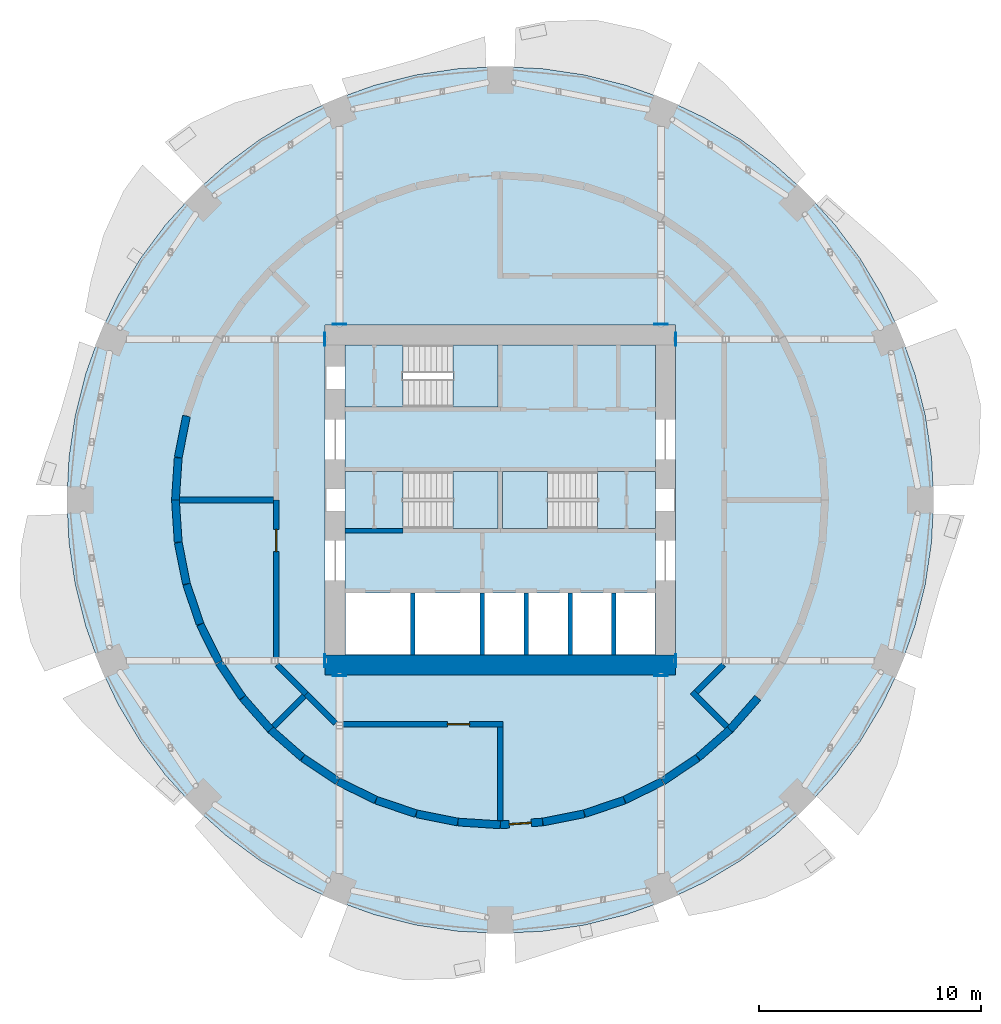
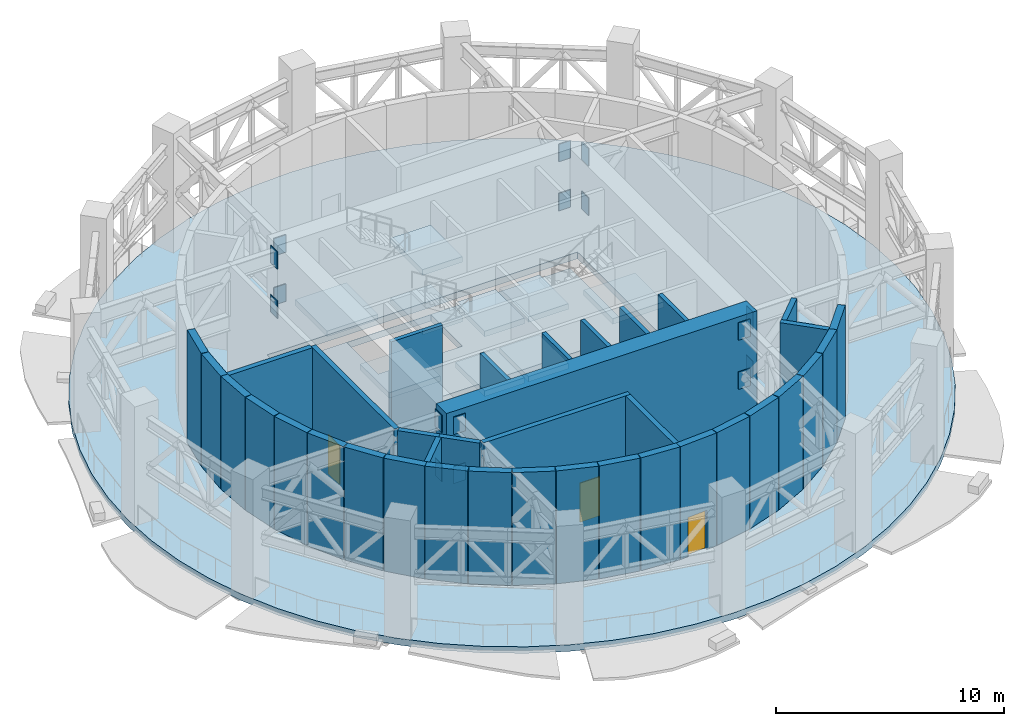
# One storey, part 6 of 14: 37 walls, 16 plates, 11 slabs, 3 doors, 3 openings, 3 elements without a shape of their own.
"""IFC4 building model written with IfcOpenShell, lengths in metres."""

import ifcopenshell
import ifcopenshell.guid

model = None  # the IFC model being written
_history = None  # IfcOwnerHistory: only IFC2X3 demands one
_inside = {}  # id of a spatial element -> (the spatial element, [elements in it])
_under = {}  # id of a project, library or spatial element -> (it, [spatial elements below it])
_declared = {}  # id of a project -> (the project, [libraries it declares])
_typed = {}  # id of a type object -> (the type object, [elements of that type])
_made_of = {}  # id of a material, layer set ... -> (it, [elements and type objects made of it])


def new_model(schema):
    """Start an empty IFC model of exactly this schema.

    Asked for "IFC4X3", IfcOpenShell would pick the latest addendum, in which some entities
    have other attributes; the version numbers below select the first issue.
    IFC2X3 requires an IfcOwnerHistory on every rooted entity: one is made here for all.
    """
    global model, _history
    if schema == "IFC4X3":
        model = ifcopenshell.file(schema_version=(4, 3, 0, 0))
    else:
        model = ifcopenshell.file(schema=schema)
    _inside.clear()
    _under.clear()
    _declared.clear()
    _typed.clear()
    _made_of.clear()
    _history = None
    if model.schema == "IFC2X3":
        org = make("IfcOrganization", Name="unknown")
        user = make(
            "IfcPersonAndOrganization",
            ThePerson=make("IfcPerson", FamilyName="unknown"),
            TheOrganization=org,
        )
        app = make(
            "IfcApplication",
            ApplicationDeveloper=org,
            Version="unknown",
            ApplicationFullName="unknown",
            ApplicationIdentifier="unknown",
        )
        _history = make(
            "IfcOwnerHistory",
            OwningUser=user,
            OwningApplication=app,
            ChangeAction="ADDED",
            CreationDate=0,
        )
    return model


def make(cls, **values):
    """One entity of the class cls with the attributes given. An attribute that is None is left unset."""
    return model.create_entity(
        cls, **{name: value for name, value in values.items() if value is not None}
    )


def rooted(cls, **values):
    """An entity with a GlobalId (a new one), such as an element, a storey or a relation."""
    return make(cls, GlobalId=ifcopenshell.guid.new(), OwnerHistory=_history, **values)


def si_unit(unit_type, name, prefix=None):
    """IfcSIUnit, for example si_unit("LENGTHUNIT", "METRE", prefix="MILLI")."""
    return make("IfcSIUnit", UnitType=unit_type, Prefix=prefix, Name=name)


def assignment(units):
    """IfcUnitAssignment: the units of a project."""
    return None if units is None else make("IfcUnitAssignment", Units=units)


def point(xyz):
    """IfcCartesianPoint."""
    return None if xyz is None else make("IfcCartesianPoint", Coordinates=xyz)


def direction(xyz):
    """IfcDirection."""
    return None if xyz is None else make("IfcDirection", DirectionRatios=xyz)


def frame(location, z_axis=None, x_axis=None):
    """IfcAxis2Placement3D, a coordinate frame: its origin and axes. An axis left out is left unset."""
    return make(
        "IfcAxis2Placement3D",
        Location=point(location),
        Axis=direction(z_axis),
        RefDirection=direction(x_axis),
    )


def frame_2d(location, x_axis=None):
    """IfcAxis2Placement2D, a coordinate frame in the plane: its origin and x axis."""
    return make(
        "IfcAxis2Placement2D", Location=point(location), RefDirection=direction(x_axis)
    )


def origin():
    """The frame at (0, 0, 0) with its axes left unset."""
    return frame((0.0, 0.0, 0.0))


def origin_2d():
    """The frame at (0, 0) in the plane with its x axis left unset."""
    return frame_2d((0.0, 0.0))


def place(relative_to, where):
    """IfcLocalPlacement: puts the frame where relative to a parent placement (None: the world)."""
    return make(
        "IfcLocalPlacement", PlacementRelTo=relative_to, RelativePlacement=where
    )


def context(
    kind, dimensions, precision=None, world=None, true_north=None, identifier=None
):
    """IfcGeometricRepresentationContext, for example the 3D "Model" context."""
    return make(
        "IfcGeometricRepresentationContext",
        ContextIdentifier=identifier,
        ContextType=kind,
        CoordinateSpaceDimension=dimensions,
        Precision=precision,
        WorldCoordinateSystem=world,
        TrueNorth=true_north,
    )


def subcontext(parent, identifier, kind, view, scale=None):
    """IfcGeometricRepresentationSubContext, for example "Body" below "Model"."""
    return make(
        "IfcGeometricRepresentationSubContext",
        ContextIdentifier=identifier,
        ContextType=kind,
        ParentContext=parent,
        TargetScale=scale,
        TargetView=view,
    )


def project(units=None, contexts=None):
    """IfcProject with its units and contexts."""
    return rooted(
        "IfcProject",
        Name="project",
        RepresentationContexts=contexts,
        UnitsInContext=assignment(units),
    )


def spatial(cls, under=None, at=None, **own):
    """A site, building, storey or space (cls), placed at a placement, below another one or the project."""
    s = rooted(cls, ObjectPlacement=at, **own)
    if under is not None:
        _under.setdefault(under.id(), (under, []))[1].append(s)
    return s


def polyline(points):
    """IfcPolyline through the points."""
    return make("IfcPolyline", Points=[point(p) for p in points])


def profile(cls, at=None, kind="AREA", **sizes):
    """A parametric profile (cls). Its sizes go by their IFC names, for example OverallWidth=200.0."""
    return make(cls, ProfileType=kind, Position=at, **sizes)


def rectangle(**sizes):
    """IfcRectangleProfileDef."""
    return profile("IfcRectangleProfileDef", **sizes)


def outline(outer, holes=None, kind="AREA"):
    """IfcArbitraryClosedProfileDef: a profile drawn as a closed curve; with holes, ...WithVoids."""
    if holes is None:
        return make("IfcArbitraryClosedProfileDef", ProfileType=kind, OuterCurve=outer)
    return make(
        "IfcArbitraryProfileDefWithVoids",
        ProfileType=kind,
        OuterCurve=outer,
        InnerCurves=holes,
    )


def extrude(swept, where, along, depth):
    """IfcExtrudedAreaSolid: the profile swept, set in the frame where, extruded along a direction by depth."""
    return make(
        "IfcExtrudedAreaSolid",
        SweptArea=swept,
        Position=where,
        ExtrudedDirection=direction(along),
        Depth=depth,
    )


def shape(context_of_items, identifier, shape_type, items):
    """IfcShapeRepresentation: the items that make up one representation, for example the "Body"."""
    return make(
        "IfcShapeRepresentation",
        ContextOfItems=context_of_items,
        RepresentationIdentifier=identifier,
        RepresentationType=shape_type,
        Items=items,
    )


def material(Name=None, Category=None):
    """IfcMaterial."""
    return make("IfcMaterial", Name=Name, Category=Category)


def layer(
    of_material, thickness, ventilated=None, Name=None, Category=None, Priority=None
):
    """IfcMaterialLayer: one layer of a wall or slab, of a material (None: an air gap)."""
    return make(
        "IfcMaterialLayer",
        Material=of_material,
        LayerThickness=thickness,
        IsVentilated=ventilated,
        Name=Name,
        Category=Category,
        Priority=Priority,
    )


def layer_set(layers, Name=None):
    """IfcMaterialLayerSet."""
    return make("IfcMaterialLayerSet", MaterialLayers=layers, LayerSetName=Name)


def made_of(thing, what):
    """Note that an element or type object is made of a material, layer set ...; save() writes the relation."""
    if what is not None:
        _made_of.setdefault(what.id(), (what, []))[1].append(thing)
    return thing


def type_object(cls, material=None, **own):
    """A type object (cls), such as IfcWallType, which elements share."""
    return made_of(rooted(cls, **own), material)


def element(
    cls,
    number,
    at=None,
    inside=None,
    cuts=None,
    type_object=None,
    material=None,
    context=None,
    identifier="Body",
    shape_type=None,
    held_by="IfcProductDefinitionShape",
    body=None,
    shapes=None,
    **own,
):
    """One element of the class cls, such as IfcWall. Its Tag is "e" and its number.

    at: its placement. inside: the storey or other place that contains it. cuts: it is an
    opening in that element (IfcRelVoidsElement). A single representation is given by context,
    identifier, shape_type and body (its items); several are given by shapes. held_by: the class
    of the entity that holds the representations. save() writes the other relations.
    """
    e = rooted(cls, Tag="e%d" % number, ObjectPlacement=at, **own)
    if body is not None:
        shapes = [shape(context, identifier, shape_type, body)]
    if shapes is not None:
        e.Representation = make(held_by, Representations=shapes)
    if inside is not None:
        _inside.setdefault(inside.id(), (inside, []))[1].append(e)
    if cuts is not None:
        rooted(
            "IfcRelVoidsElement", RelatingBuildingElement=cuts, RelatedOpeningElement=e
        )
    if type_object is not None:
        _typed.setdefault(type_object.id(), (type_object, []))[1].append(e)
    return made_of(e, material)


def fill(opening, filler):
    """IfcRelFillsElement: the door or window that sits in an opening."""
    return rooted(
        "IfcRelFillsElement",
        RelatingOpeningElement=opening,
        RelatedBuildingElement=filler,
    )


def aggregate(whole, parts):
    """IfcRelAggregates: a whole, such as a stair, and the parts it consists of."""
    return rooted("IfcRelAggregates", RelatingObject=whole, RelatedObjects=parts)


def save(model, path):
    """Write the relations noted so far, then the file.

    IfcRelAggregates (storeys below a building ...), IfcRelContainedInSpatialStructure (elements
    in a storey), IfcRelDefinesByType, IfcRelAssociatesMaterial and IfcRelDeclares: one each for
    every whole, place, type object, material and project.
    """
    for whole, parts in _under.values():
        aggregate(whole, parts)
    for where, things in _inside.values():
        rooted(
            "IfcRelContainedInSpatialStructure",
            RelatedElements=things,
            RelatingStructure=where,
        )
    for kind, things in _typed.values():
        rooted("IfcRelDefinesByType", RelatedObjects=things, RelatingType=kind)
    for what, things in _made_of.values():
        rooted("IfcRelAssociatesMaterial", RelatedObjects=things, RelatingMaterial=what)
    for by, libraries in _declared.values():
        rooted("IfcRelDeclares", RelatingContext=by, RelatedDefinitions=libraries)
    model.write(path)


model = new_model("IFC4")

# Units and contexts
model_context = context("Model", 3, precision=1e-05, world=origin(), true_north=direction((0.0, 1.0)))
body_context = subcontext(model_context, "Body", "Model", "MODEL_VIEW")
ifc_project = project(units=[si_unit("LENGTHUNIT", "METRE"), si_unit("AREAUNIT", "SQUARE_METRE"), si_unit("VOLUMEUNIT", "CUBIC_METRE"), si_unit("PLANEANGLEUNIT", "RADIAN"), si_unit("MASSUNIT", "GRAM", prefix="KILO")], contexts=[model_context])

# Site, building, storey
site_placement = place(None, origin())
site = spatial("IfcSite", under=ifc_project, at=site_placement, CompositionType="ELEMENT")
building_placement = place(site_placement, origin())
building = spatial("IfcBuilding", under=site, at=building_placement, Name="Polderwave Tower", CompositionType="ELEMENT")
storey_placement = place(building_placement, frame((0.0, 0.0, 66.35009765625)))
storey = spatial("IfcBuildingStorey", under=building, at=storey_placement, Name="L17", CompositionType="ELEMENT", Elevation=66.35009765625)

# Plates
ifc_material_1 = material(Name="Steel S355", Category="steel")
ifc_layer_1 = layer(ifc_material_1, 0.0400390625)
ifc_layer_set_1 = layer_set([ifc_layer_1], Name="CAST-IN PLATE 40")
plate_type = type_object("IfcPlateType", Name="CAST-IN PLATE 40", PredefinedType="SHEET", material=ifc_layer_set_1)
for number, where, z_axis, x_axis, name in (
    (1, (7.89404296875, 7.22509765625, 5.17578125), (0.0, 0.0, 1.0), (1.0, 0.0, 0.0), "Cast-in plate CP-L17-01T 40"),
    (2, (7.89404296875, 7.22509765625, 2.539794921875), (0.0, 0.0, 1.0), (1.0, 0.0, 0.0), "Cast-in plate CP-L17-01B 40"),
    (3, (7.22509765625, 7.89404296875, 5.17578125), (0.0, 0.0, 1.0), (0.0, 1.0, 0.0), "Cast-in plate CP-L17-03T 40"),
    (4, (7.22509765625, 7.89404296875, 2.539794921875), (0.0, 0.0, 1.0), (0.0, 1.0, 0.0), "Cast-in plate CP-L17-03B 40"),
    (5, (-7.22509765625, 7.89404296875, 5.17578125), (0.0, 0.0, 1.0), (0.0, 1.0, 0.0), "Cast-in plate CP-L17-05T 40"),
    (6, (-7.22509765625, 7.89404296875, 2.539794921875), (0.0, 0.0, 1.0), (0.0, 1.0, 0.0), "Cast-in plate CP-L17-05B 40"),
    (7, (-7.89404296875, 7.22509765625, 5.17578125), (0.0, 0.0, 1.0), (1.0, 0.0, 0.0), "Cast-in plate CP-L17-07T 40"),
    (8, (-7.89404296875, 7.22509765625, 2.539794921875), (0.0, 0.0, 1.0), (1.0, 0.0, 0.0), "Cast-in plate CP-L17-07B 40"),
    (9, (-7.89404296875, -7.22509765625, 5.17578125), (0.0, 0.0, 1.0), (1.0, 0.0, 0.0), "Cast-in plate CP-L17-09T 40"),
    (10, (-7.89404296875, -7.22509765625, 2.539794921875), (0.0, 0.0, 1.0), (1.0, 0.0, 0.0), "Cast-in plate CP-L17-09B 40"),
    (11, (-7.22509765625, -7.89404296875, 5.17578125), (0.0, 0.0, 1.0), (0.0, 1.0, 0.0), "Cast-in plate CP-L17-11T 40"),
    (12, (-7.22509765625, -7.89404296875, 2.539794921875), (0.0, 0.0, 1.0), (0.0, 1.0, 0.0), "Cast-in plate CP-L17-11B 40"),
    (13, (7.22509765625, -7.89404296875, 5.17578125), (0.0, 0.0, 1.0), (0.0, 1.0, 0.0), "Cast-in plate CP-L17-13T 40"),
    (14, (7.22509765625, -7.89404296875, 2.539794921875), (0.0, 0.0, 1.0), (0.0, 1.0, 0.0), "Cast-in plate CP-L17-13B 40"),
    (15, (7.89404296875, -7.22509765625, 5.17578125), (0.0, 0.0, 1.0), (1.0, 0.0, 0.0), "Cast-in plate CP-L17-15T 40"),
    (16, (7.89404296875, -7.22509765625, 2.539794921875), (0.0, 0.0, 1.0), (1.0, 0.0, 0.0), "Cast-in plate CP-L17-15B 40"),
):
    element("IfcPlate", number, at=place(storey_placement, frame(where, z_axis=z_axis, x_axis=x_axis)), inside=storey, type_object=plate_type, Name=name, PredefinedType="SHEET", context=body_context, shape_type="SweptSolid", body=[
        extrude(rectangle(XDim=0.0400390625, YDim=0.60009765625, at=origin_2d()), origin(), (0.0, 0.0, 1.0), 0.93408203125),
    ])

# Slabs
ifc_material_2 = material(Name="Concrete C40/50", Category="concrete")
ifc_layer_2 = layer(ifc_material_2, 0.35009765625)
ifc_layer_set_2 = layer_set([ifc_layer_2], Name="Core floor slab 350")
slab_type_1 = type_object("IfcSlabType", Name="Core floor slab 350", PredefinedType="FLOOR", material=ifc_layer_set_2)
slab_1_placement = place(storey_placement, frame((0.0, 0.0, -0.35009765625)))
element("IfcSlab", 17, at=slab_1_placement, inside=storey, type_object=slab_type_1, Name="L17 core floor", PredefinedType="FLOOR", context=body_context, shape_type="SweptSolid", body=[
    extrude(outline(polyline([(-6.97412109375, -6.97412109375), (6.97412109375, -6.97412109375), (6.97412109375, 6.97412109375), (-6.97412109375, 6.97412109375), (-6.97412109375, -6.97412109375)]), holes=[polyline([(-6.9541015625, -6.9541015625), (-4.037109375, -6.9541015625), (-4.037109375, -4.174072265625), (-6.9541015625, -4.174072265625), (-6.9541015625, -6.9541015625)]), polyline([(-3.8369140625, -6.9541015625), (-0.89990234375, -6.9541015625), (-0.89990234375, -4.174072265625), (-3.8369140625, -4.174072265625), (-3.8369140625, -6.9541015625)]), polyline([(-0.699951171875, -6.9541015625), (1.068603515625, -6.9541015625), (1.068603515625, -4.174072265625), (-0.699951171875, -4.174072265625), (-0.699951171875, -6.9541015625)]), polyline([(1.2685546875, -6.9541015625), (3.037109375, -6.9541015625), (3.037109375, -4.174072265625), (1.2685546875, -4.174072265625), (1.2685546875, -6.9541015625)]), polyline([(3.237060546875, -6.9541015625), (5.005615234375, -6.9541015625), (5.005615234375, -4.174072265625), (3.237060546875, -4.174072265625), (3.237060546875, -6.9541015625)]), polyline([(5.20556640625, -6.9541015625), (6.9541015625, -6.9541015625), (6.9541015625, -4.174072265625), (5.20556640625, -4.174072265625), (5.20556640625, -6.9541015625)]), polyline([(-4.37353515625, -1.2744140625), (-0.1005859375, -1.2744140625), (-0.1005859375, 1.2744140625), (-4.37353515625, 1.2744140625), (-4.37353515625, -1.2744140625)]), polyline([(0.1005859375, -1.2744140625), (4.37353515625, -1.2744140625), (4.37353515625, 1.2744140625), (0.1005859375, 1.2744140625), (0.1005859375, -1.2744140625)]), polyline([(-4.37353515625, 4.174560546875), (-0.1005859375, 4.174560546875), (-0.1005859375, 6.9541015625), (-4.37353515625, 6.9541015625), (-4.37353515625, 4.174560546875)])]), origin(), (0.0, 0.0, 1.0), 0.35009765625),
])
ifc_layer_3 = layer(ifc_material_2, 0.35009765625)
ifc_layer_set_3 = layer_set([ifc_layer_3], Name="PT FLOOR SLAB 350 C40/50")
slab_type_2 = type_object("IfcSlabType", Name="PT FLOOR SLAB 350 C40/50", PredefinedType="FLOOR", material=ifc_layer_set_3)
slab_2_placement = place(storey_placement, frame((0.0, 0.0, -0.35009765625)))
element("IfcSlab", 18, at=slab_2_placement, inside=storey, type_object=slab_type_2, Name="ST-SLAB-L17", PredefinedType="FLOOR", context=body_context, shape_type="SweptSolid", body=[
    extrude(outline(polyline([(19.47998046875, 0.0), (19.38623046875, 1.909423828125), (19.105712890625, 3.80029296875), (18.64111328125, 5.65478515625), (17.997314453125, 7.45458984375), (17.1796875, 9.182861328125), (16.197021484375, 10.822509765625), (15.05810546875, 12.35791015625), (13.7744140625, 13.7744140625), (12.35791015625, 15.05810546875), (10.822509765625, 16.197021484375), (9.182861328125, 17.1796875), (7.45458984375, 17.997314453125), (5.65478515625, 18.64111328125), (3.80029296875, 19.105712890625), (1.909423828125, 19.38623046875), (0.0, 19.47998046875), (-1.909423828125, 19.38623046875), (-3.80029296875, 19.105712890625), (-5.65478515625, 18.64111328125), (-7.45458984375, 17.997314453125), (-9.182861328125, 17.1796875), (-10.822509765625, 16.197021484375), (-12.35791015625, 15.05810546875), (-13.7744140625, 13.7744140625), (-15.05810546875, 12.35791015625), (-16.197021484375, 10.822509765625), (-17.1796875, 9.182861328125), (-17.997314453125, 7.45458984375), (-18.64111328125, 5.65478515625), (-19.105712890625, 3.80029296875), (-19.38623046875, 1.909423828125), (-19.47998046875, 0.0), (-19.38623046875, -1.909423828125), (-19.105712890625, -3.80029296875), (-18.64111328125, -5.65478515625), (-17.997314453125, -7.45458984375), (-17.1796875, -9.182861328125), (-16.197021484375, -10.822509765625), (-15.05810546875, -12.35791015625), (-13.7744140625, -13.7744140625), (-12.35791015625, -15.05810546875), (-10.822509765625, -16.197021484375), (-9.182861328125, -17.1796875), (-7.45458984375, -17.997314453125), (-5.65478515625, -18.64111328125), (-3.80029296875, -19.105712890625), (-1.909423828125, -19.38623046875), (0.0, -19.47998046875), (1.909423828125, -19.38623046875), (3.80029296875, -19.105712890625), (5.65478515625, -18.64111328125), (7.45458984375, -17.997314453125), (9.182861328125, -17.1796875), (10.822509765625, -16.197021484375), (12.35791015625, -15.05810546875), (13.7744140625, -13.7744140625), (15.05810546875, -12.35791015625), (16.197021484375, -10.822509765625), (17.1796875, -9.182861328125), (17.997314453125, -7.45458984375), (18.64111328125, -5.65478515625), (19.105712890625, -3.80029296875), (19.38623046875, -1.909423828125), (19.47998046875, 0.0)]), holes=[polyline([(-7.8740234375, -7.8740234375), (7.8740234375, -7.8740234375), (7.8740234375, 7.8740234375), (-7.8740234375, 7.8740234375), (-7.8740234375, -7.8740234375)])]), origin(), (0.0, 0.0, 1.0), 0.35009765625),
])

# Stair, slabs
stair_type = type_object("IfcStairType", Name="Exit stair 1200 x 40 risers", PredefinedType="HALF_TURN_STAIR", material=ifc_material_2)
stair_1_placement = place(storey_placement, origin())
stair_1 = element("IfcStair", 19, at=stair_1_placement, inside=storey, type_object=stair_type, Name="L17 Exit stair A", PredefinedType="HALF_TURN_STAIR")
ifc_layer_4 = layer(ifc_material_2, 0.300048828125)
ifc_layer_set_4 = layer_set([ifc_layer_4], Name="Stair landing 300")
slab_type_3 = type_object("IfcSlabType", Name="Stair landing 300", PredefinedType="LANDING", material=ifc_layer_set_4)
slab_3_placement = place(storey_placement, frame((0.0, 0.0, 1.2998046875)))
slab_3 = element("IfcSlab", 20, at=slab_3_placement, type_object=slab_type_3, Name="ST-A landing 1", PredefinedType="LANDING", context=body_context, shape_type="SweptSolid", body=[
    extrude(outline(polyline([(-2.1240234375, -1.27490234375), (-0.10009765625, -1.27490234375), (-0.10009765625, 1.27490234375), (-2.1240234375, 1.27490234375), (-2.1240234375, -1.27490234375)])), origin(), (0.0, 0.0, 1.0), 0.300048828125),
])
slab_4_placement = place(storey_placement, frame((0.0, 0.0, 2.89990234375)))
slab_4 = element("IfcSlab", 21, at=slab_4_placement, type_object=slab_type_3, Name="ST-A landing 2", PredefinedType="LANDING", context=body_context, shape_type="SweptSolid", body=[
    extrude(outline(polyline([(-6.97412109375, -1.27490234375), (-4.3740234375, -1.27490234375), (-4.3740234375, 1.27490234375), (-6.97412109375, 1.27490234375), (-6.97412109375, -1.27490234375)])), origin(), (0.0, 0.0, 1.0), 0.300048828125),
])
slab_5_placement = place(storey_placement, frame((0.0, 0.0, 4.5)))
slab_5 = element("IfcSlab", 22, at=slab_5_placement, type_object=slab_type_3, Name="ST-A landing 3", PredefinedType="LANDING", context=body_context, shape_type="SweptSolid", body=[
    extrude(outline(polyline([(-2.1240234375, -1.27490234375), (-0.10009765625, -1.27490234375), (-0.10009765625, 1.27490234375), (-2.1240234375, 1.27490234375), (-2.1240234375, -1.27490234375)])), origin(), (0.0, 0.0, 1.0), 0.2998046875),
])
aggregate(stair_1, [slab_3, slab_4, slab_5])

stair_2_placement = place(storey_placement, origin())
stair_2 = element("IfcStair", 23, at=stair_2_placement, inside=storey, type_object=stair_type, Name="L17 Exit stair B", PredefinedType="HALF_TURN_STAIR")
slab_6_placement = place(storey_placement, frame((0.0, 0.0, 1.2998046875)))
slab_6 = element("IfcSlab", 24, at=slab_6_placement, type_object=slab_type_3, Name="ST-B landing 1", PredefinedType="LANDING", context=body_context, shape_type="SweptSolid", body=[
    extrude(outline(polyline([(2.1240234375, 1.27490234375), (0.10009765625, 1.27490234375), (0.10009765625, -1.27490234375), (2.1240234375, -1.27490234375), (2.1240234375, 1.27490234375)])), origin(), (0.0, 0.0, 1.0), 0.300048828125),
])
slab_7_placement = place(storey_placement, frame((0.0, 0.0, 2.89990234375)))
slab_7 = element("IfcSlab", 25, at=slab_7_placement, type_object=slab_type_3, Name="ST-B landing 2", PredefinedType="LANDING", context=body_context, shape_type="SweptSolid", body=[
    extrude(outline(polyline([(6.97412109375, 1.27490234375), (4.3740234375, 1.27490234375), (4.3740234375, -1.27490234375), (6.97412109375, -1.27490234375), (6.97412109375, 1.27490234375)])), origin(), (0.0, 0.0, 1.0), 0.300048828125),
])
slab_8_placement = place(storey_placement, frame((0.0, 0.0, 4.5)))
slab_8 = element("IfcSlab", 26, at=slab_8_placement, type_object=slab_type_3, Name="ST-B landing 3", PredefinedType="LANDING", context=body_context, shape_type="SweptSolid", body=[
    extrude(outline(polyline([(2.1240234375, 1.27490234375), (0.10009765625, 1.27490234375), (0.10009765625, -1.27490234375), (2.1240234375, -1.27490234375), (2.1240234375, 1.27490234375)])), origin(), (0.0, 0.0, 1.0), 0.2998046875),
])
aggregate(stair_2, [slab_6, slab_7, slab_8])

stair_3_placement = place(storey_placement, origin())
stair_3 = element("IfcStair", 27, at=stair_3_placement, inside=storey, type_object=stair_type, Name="L17 Exit stair C", PredefinedType="HALF_TURN_STAIR")
slab_9_placement = place(storey_placement, frame((0.0, 0.0, 1.2998046875)))
slab_9 = element("IfcSlab", 28, at=slab_9_placement, type_object=slab_type_3, Name="ST-C landing 1", PredefinedType="LANDING", context=body_context, shape_type="SweptSolid", body=[
    extrude(outline(polyline([(-2.1240234375, 4.174072265625), (-0.10009765625, 4.174072265625), (-0.10009765625, 6.97412109375), (-2.1240234375, 6.97412109375), (-2.1240234375, 4.174072265625)])), origin(), (0.0, 0.0, 1.0), 0.300048828125),
])
slab_10_placement = place(storey_placement, frame((0.0, 0.0, 2.89990234375)))
slab_10 = element("IfcSlab", 29, at=slab_10_placement, type_object=slab_type_3, Name="ST-C landing 2", PredefinedType="LANDING", context=body_context, shape_type="SweptSolid", body=[
    extrude(outline(polyline([(-6.97412109375, 4.174072265625), (-4.3740234375, 4.174072265625), (-4.3740234375, 6.97412109375), (-6.97412109375, 6.97412109375), (-6.97412109375, 4.174072265625)])), origin(), (0.0, 0.0, 1.0), 0.300048828125),
])
slab_11_placement = place(storey_placement, frame((0.0, 0.0, 4.5)))
slab_11 = element("IfcSlab", 30, at=slab_11_placement, type_object=slab_type_3, Name="ST-C landing 3", PredefinedType="LANDING", context=body_context, shape_type="SweptSolid", body=[
    extrude(outline(polyline([(-2.1240234375, 4.174072265625), (-0.10009765625, 4.174072265625), (-0.10009765625, 6.97412109375), (-2.1240234375, 6.97412109375), (-2.1240234375, 4.174072265625)])), origin(), (0.0, 0.0, 1.0), 0.2998046875),
])
aggregate(stair_3, [slab_9, slab_10, slab_11])

# Walls
ifc_material_3 = material(Name="Concrete C80/95", Category="concrete")
ifc_layer_5 = layer(ifc_material_3, 0.89990234375)
ifc_layer_set_5 = layer_set([ifc_layer_5], Name="CORE WALL 900 C80/95")
wall_type_1 = type_object("IfcWallType", Name="CORE WALL 900 C80/95", PredefinedType="SHEAR", material=ifc_layer_set_5)
wall_1_placement = place(storey_placement, frame((-7.8740234375, -7.424072265625, 0.0), z_axis=(0.0, 0.0, 1.0), x_axis=(1.0, 0.0, 0.0)))
element("IfcWall", 31, at=wall_1_placement, inside=storey, type_object=wall_type_1, Name="ST-CORE-L17-S", PredefinedType="SHEAR", context=body_context, shape_type="SweptSolid", body=[
    extrude(rectangle(XDim=15.748046875, YDim=0.89990234375, at=frame_2d((7.8740234375, 0.0))), origin(), (0.0, 0.0, 1.0), 6.39990234375),
])
ifc_material_4 = material(Name="Concrete C50/60", Category="concrete")
ifc_layer_6 = layer(ifc_material_4, 0.199951171875)
ifc_layer_set_6 = layer_set([ifc_layer_6], Name="Core web wall 200")
wall_type_2 = type_object("IfcWallType", Name="Core web wall 200", PredefinedType="SHEAR", material=ifc_layer_set_6)
wall_2_placement = place(storey_placement, frame((-6.97412109375, -1.375, 0.0), z_axis=(0.0, 0.0, 1.0), x_axis=(1.0, 0.0, 0.0)))
element("IfcWall", 32, at=wall_2_placement, inside=storey, type_object=wall_type_2, Name="L17 south stair wall 1", PredefinedType="SHEAR", context=body_context, shape_type="SweptSolid", body=[
    extrude(rectangle(XDim=2.60009765625, YDim=0.199951171875, at=frame_2d((1.300048828125, 0.0))), origin(), (0.0, 0.0, 1.0), 6.0498046875),
])
ifc_material_5 = material(Name="Insulated metal rainscreen on fire-resisting board")
ifc_layer_7 = layer(ifc_material_5, 0.35009765625)
ifc_layer_set_7 = layer_set([ifc_layer_7], Name="Plant enclosure wall 350 mm EI 120")
wall_type_3 = type_object("IfcWallType", Name="Plant enclosure wall 350 mm EI 120", PredefinedType="PARTITIONING", material=ifc_layer_set_7)
wall_3_placement = place(storey_placement, frame((-14.60009765625, 0.0, 0.0), z_axis=(0.0, 0.0, 1.0), x_axis=(0.065460533058, 0.997855159135, 0.0)))
element("IfcWall", 33, at=wall_3_placement, inside=storey, type_object=wall_type_3, Name="IN-L17-W035", PredefinedType="PARTITIONING", context=body_context, shape_type="SweptSolid", body=[
    extrude(rectangle(XDim=1.8984375, YDim=0.35009765625, at=frame_2d((0.94921875, 0.0))), origin(), (0.0, 0.0, 1.0), 6.0498046875),
])
wall_4_placement = place(storey_placement, frame((-14.472900390625, 1.9169921875, 0.0), z_axis=(0.0, 0.0, 1.0), x_axis=(0.195120723342, 0.980779232714, 0.0)))
element("IfcWall", 34, at=wall_4_placement, inside=storey, type_object=wall_type_3, Name="IN-L17-W036", PredefinedType="PARTITIONING", context=body_context, shape_type="SweptSolid", body=[
    extrude(rectangle(XDim=1.886962890625, YDim=0.35009765625, at=frame_2d((0.943359375, 0.0))), origin(), (0.0, 0.0, 1.0), 6.0498046875),
])
wall_5_placement = place(storey_placement, frame((-14.475830078125, -1.894287109375, 0.0), z_axis=(0.0, 0.0, 1.0), x_axis=(-0.065460533058, 0.997855159135, 0.0)))
element("IfcWall", 35, at=wall_5_placement, inside=storey, type_object=wall_type_3, Name="IN-L17-W042", PredefinedType="PARTITIONING", context=body_context, shape_type="SweptSolid", body=[
    extrude(rectangle(XDim=1.8984375, YDim=0.35009765625, at=frame_2d((0.94921875, 0.0))), origin(), (0.0, 0.0, 1.0), 6.0498046875),
])
wall_6_placement = place(storey_placement, frame((-14.104736328125, -3.767578125, 0.0), z_axis=(0.0, 0.0, 1.0), x_axis=(-0.195120723342, 0.980779232714, 0.0)))
element("IfcWall", 36, at=wall_6_placement, inside=storey, type_object=wall_type_3, Name="IN-L17-W043", PredefinedType="PARTITIONING", context=body_context, shape_type="SweptSolid", body=[
    extrude(rectangle(XDim=1.886962890625, YDim=0.35009765625, at=frame_2d((0.943359375, 0.0))), origin(), (0.0, 0.0, 1.0), 6.0498046875),
])
for number, where, z_axis, x_axis, name in (
    (37, (-13.4921875, -5.576416015625, 0.0), (0.0, 0.0, 1.0), (-0.321540837015, 0.946895712384, 0.0), "IN-L17-W044"),
    (38, (-12.649169921875, -7.289794921875, 0.0), (0.0, 0.0, 1.0), (-0.442134217984, 0.896948902272, 0.0), "IN-L17-W045"),
):
    element("IfcWall", number, at=place(storey_placement, frame(where, z_axis=z_axis, x_axis=x_axis)), inside=storey, type_object=wall_type_3, Name=name, PredefinedType="PARTITIONING", context=body_context, shape_type="SweptSolid", body=[
        extrude(rectangle(XDim=1.88671875, YDim=0.35009765625, at=frame_2d((0.943359375, 0.0))), origin(), (0.0, 0.0, 1.0), 6.0498046875),
    ])
wall_7_placement = place(storey_placement, frame((-11.58935546875, -8.87841796875, 0.0), z_axis=(0.0, 0.0, 1.0), x_axis=(-0.555595643605, 0.831452632931, 0.0)))
element("IfcWall", 39, at=wall_7_placement, inside=storey, type_object=wall_type_3, Name="IN-L17-W046", PredefinedType="PARTITIONING", context=body_context, shape_type="SweptSolid", body=[
    extrude(rectangle(XDim=1.886962890625, YDim=0.35009765625, at=frame_2d((0.943359375, 0.0))), origin(), (0.0, 0.0, 1.0), 6.0498046875),
])
for number, where, z_axis, x_axis, name in (
    (40, (-10.32373046875, -10.32373046875, 0.0), (0.0, 0.0, 1.0), (-0.659360034108, 0.751827337506, 0.0), "IN-L17-W047"),
    (41, (-8.896484375, -11.575439453125, 0.0), (0.0, 0.0, 1.0), (-0.751827337506, 0.659360034108, 0.0), "IN-L17-W049"),
):
    element("IfcWall", number, at=place(storey_placement, frame(where, z_axis=z_axis, x_axis=x_axis)), inside=storey, type_object=wall_type_3, Name=name, PredefinedType="PARTITIONING", context=body_context, shape_type="SweptSolid", body=[
        extrude(rectangle(XDim=1.8984375, YDim=0.35009765625, at=frame_2d((0.94921875, 0.0))), origin(), (0.0, 0.0, 1.0), 6.0498046875),
    ])
wall_8_placement = place(storey_placement, frame((-7.3095703125, -12.6376953125, 0.0), z_axis=(0.0, 0.0, 1.0), x_axis=(-0.831452632931, 0.555595643605, 0.0)))
element("IfcWall", 42, at=wall_8_placement, inside=storey, type_object=wall_type_3, Name="IN-L17-W050", PredefinedType="PARTITIONING", context=body_context, shape_type="SweptSolid", body=[
    extrude(rectangle(XDim=1.886962890625, YDim=0.35009765625, at=frame_2d((0.943359375, 0.0))), origin(), (0.0, 0.0, 1.0), 6.0498046875),
])
for number, where, z_axis, x_axis, name in (
    (43, (-5.597412109375, -13.4833984375, 0.0), (0.0, 0.0, 1.0), (-0.896948902272, 0.442134217984, 0.0), "IN-L17-W051"),
    (44, (-3.789794921875, -14.098876953125, 0.0), (0.0, 0.0, 1.0), (-0.946895712384, 0.321540837015, 0.0), "IN-L17-W052"),
):
    element("IfcWall", number, at=place(storey_placement, frame(where, z_axis=z_axis, x_axis=x_axis)), inside=storey, type_object=wall_type_3, Name=name, PredefinedType="PARTITIONING", context=body_context, shape_type="SweptSolid", body=[
        extrude(rectangle(XDim=1.88671875, YDim=0.35009765625, at=frame_2d((0.943359375, 0.0))), origin(), (0.0, 0.0, 1.0), 6.0498046875),
    ])
wall_9_placement = place(storey_placement, frame((-1.9169921875, -14.472900390625, 0.0), z_axis=(0.0, 0.0, 1.0), x_axis=(-0.980779232714, 0.195120723342, 0.0)))
element("IfcWall", 45, at=wall_9_placement, inside=storey, type_object=wall_type_3, Name="IN-L17-W053", PredefinedType="PARTITIONING", context=body_context, shape_type="SweptSolid", body=[
    extrude(rectangle(XDim=1.886962890625, YDim=0.35009765625, at=frame_2d((0.943359375, 0.0))), origin(), (0.0, 0.0, 1.0), 6.0498046875),
])
wall_10_placement = place(storey_placement, frame((0.0, -14.60009765625, 0.0), z_axis=(0.0, 0.0, 1.0), x_axis=(-0.997855159135, 0.065460533058, 0.0)))
element("IfcWall", 46, at=wall_10_placement, inside=storey, type_object=wall_type_3, Name="IN-L17-W054", PredefinedType="PARTITIONING", context=body_context, shape_type="SweptSolid", body=[
    extrude(rectangle(XDim=1.8984375, YDim=0.35009765625, at=frame_2d((0.94921875, 0.0))), origin(), (0.0, 0.0, 1.0), 6.0498046875),
])

# Wall, opening, door
wall_11_placement = place(storey_placement, frame((0.0, -14.60009765625, 0.0), z_axis=(0.0, 0.0, 1.0), x_axis=(0.997855159135, 0.065460533058, 0.0)))
wall_11 = element("IfcWall", 47, at=wall_11_placement, inside=storey, type_object=wall_type_3, Name="IN-L17-W056", PredefinedType="PARTITIONING", context=body_context, shape_type="SweptSolid", body=[
    extrude(rectangle(XDim=1.8984375, YDim=0.35009765625, at=frame_2d((0.94921875, 0.0))), origin(), (0.0, 0.0, 1.0), 6.0498046875),
])
opening_1_placement = place(wall_11_placement, frame((0.39990234375, 0.0, 0.0)))
opening_1 = element("IfcOpeningElement", 48, at=opening_1_placement, cuts=wall_11, Name="Opening L17-D57", PredefinedType="OPENING", context=body_context, shape_type="SweptSolid", body=[
    extrude(rectangle(XDim=1.0, YDim=2.10009765625, at=frame_2d((0.5, 1.050048828125))), frame((0.0, 0.18505859375, 0.0), z_axis=(0.0, -1.0, 0.0), x_axis=(1.0, 0.0, 0.0)), (0.0, 0.0, 1.0), 0.3701171875),
])
ifc_material_6 = material(Name="Steel plant door leaf", Category="steel")
door_type = type_object("IfcDoorType", Name="Plant door FD60 1000 x 2100 steel", OperationType="NOTDEFINED", PredefinedType="DOOR", material=ifc_material_6)
door_1_placement = place(opening_1_placement, origin())
door_1 = element("IfcDoor", 49, at=door_1_placement, inside=storey, type_object=door_type, Name="Door L17-D57", OperationType="SINGLE_SWING_LEFT", OverallHeight=2.10009765625, OverallWidth=1.0, PredefinedType="DOOR", context=body_context, shape_type="SweptSolid", body=[
    extrude(rectangle(XDim=1.0, YDim=2.10009765625, at=frame_2d((0.5, 1.050048828125))), frame((0.0, 0.02490234375, 0.0), z_axis=(0.0, -1.0, 0.0), x_axis=(1.0, 0.0, 0.0)), (0.0, 0.0, 1.0), 0.050048828125),
])
fill(opening_1, door_1)

# Walls
wall_12_placement = place(storey_placement, frame((3.767578125, -14.104736328125, 0.0), z_axis=(0.0, 0.0, 1.0), x_axis=(-0.980779232714, -0.195120723342, 0.0)))
element("IfcWall", 50, at=wall_12_placement, inside=storey, type_object=wall_type_3, Name="IN-L17-W057", PredefinedType="PARTITIONING", context=body_context, shape_type="SweptSolid", body=[
    extrude(rectangle(XDim=1.886962890625, YDim=0.35009765625, at=frame_2d((0.943359375, 0.0))), origin(), (0.0, 0.0, 1.0), 6.0498046875),
])
for number, where, z_axis, x_axis, name in (
    (51, (5.576416015625, -13.4921875, 0.0), (0.0, 0.0, 1.0), (-0.946895712384, -0.321540837015, 0.0), "IN-L17-W058"),
    (52, (7.289794921875, -12.649169921875, 0.0), (0.0, 0.0, 1.0), (-0.896948902272, -0.442134217984, 0.0), "IN-L17-W059"),
):
    element("IfcWall", number, at=place(storey_placement, frame(where, z_axis=z_axis, x_axis=x_axis)), inside=storey, type_object=wall_type_3, Name=name, PredefinedType="PARTITIONING", context=body_context, shape_type="SweptSolid", body=[
        extrude(rectangle(XDim=1.88671875, YDim=0.35009765625, at=frame_2d((0.943359375, 0.0))), origin(), (0.0, 0.0, 1.0), 6.0498046875),
    ])
wall_13_placement = place(storey_placement, frame((8.87841796875, -11.58935546875, 0.0), z_axis=(0.0, 0.0, 1.0), x_axis=(-0.831452632931, -0.555595643605, 0.0)))
element("IfcWall", 53, at=wall_13_placement, inside=storey, type_object=wall_type_3, Name="IN-L17-W060", PredefinedType="PARTITIONING", context=body_context, shape_type="SweptSolid", body=[
    extrude(rectangle(XDim=1.886962890625, YDim=0.35009765625, at=frame_2d((0.943359375, 0.0))), origin(), (0.0, 0.0, 1.0), 6.0498046875),
])
for number, where, z_axis, x_axis, name in (
    (54, (10.32373046875, -10.32373046875, 0.0), (0.0, 0.0, 1.0), (-0.751827337506, -0.659360034108, 0.0), "IN-L17-W061"),
    (55, (11.575439453125, -8.896484375, 0.0), (0.0, 0.0, 1.0), (-0.659360034108, -0.751827337506, 0.0), "IN-L17-W063"),
):
    element("IfcWall", number, at=place(storey_placement, frame(where, z_axis=z_axis, x_axis=x_axis)), inside=storey, type_object=wall_type_3, Name=name, PredefinedType="PARTITIONING", context=body_context, shape_type="SweptSolid", body=[
        extrude(rectangle(XDim=1.8984375, YDim=0.35009765625, at=frame_2d((0.94921875, 0.0))), origin(), (0.0, 0.0, 1.0), 6.0498046875),
    ])
ifc_material_7 = material(Name="Fire-resisting board on steel studs, mineral wool", Category="steel")
ifc_layer_8 = layer(ifc_material_7, 0.25)
ifc_layer_set_8 = layer_set([ifc_layer_8], Name="Plant room wall 250 mm EI 120")
wall_type_4 = type_object("IfcWallType", Name="Plant room wall 250 mm EI 120", PredefinedType="PARTITIONING", material=ifc_layer_set_8)
wall_14_placement = place(storey_placement, frame((10.037353515625, -7.40771484375, 0.0), z_axis=(0.0, 0.0, 1.0), x_axis=(-0.707177157576, -0.707036397792, 0.0)))
element("IfcWall", 56, at=wall_14_placement, inside=storey, type_object=wall_type_4, Name="IN-L17-W003", PredefinedType="PARTITIONING", context=body_context, shape_type="SweptSolid", body=[
    extrude(rectangle(XDim=1.734375, YDim=0.25, at=frame_2d((0.8671875, 0.0))), origin(), (0.0, 0.0, 1.0), 6.0498046875),
])

# Wall, opening, door
wall_15_placement = place(storey_placement, frame((-10.073974609375, -7.3193359375, 0.0), z_axis=(0.0, 0.0, 1.0), x_axis=(0.0, 1.0, 0.0)))
wall_15 = element("IfcWall", 57, at=wall_15_placement, inside=storey, type_object=wall_type_4, Name="IN-L17-W009", PredefinedType="PARTITIONING", context=body_context, shape_type="SweptSolid", body=[
    extrude(rectangle(XDim=7.3193359375, YDim=0.25, at=frame_2d((3.65966796875, 0.0))), origin(), (0.0, 0.0, 1.0), 6.0498046875),
])
opening_2_placement = place(wall_15_placement, frame((5.0, 0.0, 0.0)))
opening_2 = element("IfcOpeningElement", 58, at=opening_2_placement, cuts=wall_15, Name="Opening L17-D54", PredefinedType="OPENING", context=body_context, shape_type="SweptSolid", body=[
    extrude(rectangle(XDim=1.0, YDim=2.10009765625, at=frame_2d((0.5, 1.050048828125))), frame((0.0, 0.135009765625, 0.0), z_axis=(0.0, -1.0, 0.0), x_axis=(1.0, 0.0, 0.0)), (0.0, 0.0, 1.0), 0.27001953125),
])
door_2_placement = place(opening_2_placement, origin())
door_2 = element("IfcDoor", 59, at=door_2_placement, inside=storey, type_object=door_type, Name="Door L17-D54", OperationType="SINGLE_SWING_RIGHT", OverallHeight=2.10009765625, OverallWidth=1.0, PredefinedType="DOOR", context=body_context, shape_type="SweptSolid", body=[
    extrude(rectangle(XDim=1.0, YDim=2.10009765625, at=frame_2d((0.5, 1.050048828125))), frame((0.0, 0.02490234375, 0.0), z_axis=(0.0, -1.0, 0.0), x_axis=(1.0, 0.0, 0.0)), (0.0, 0.0, 1.0), 0.050048828125),
])
fill(opening_2, door_2)

# Walls
for number, where, z_axis, x_axis, name in (
    (60, (-8.722412109375, -8.722412109375, 0.0), (0.0, 0.0, 1.0), (-0.707172427269, 0.707041129009, 0.0), "IN-L17-W010"),
    (61, (-7.40771484375, -10.037353515625, 0.0), (0.0, 0.0, 1.0), (-0.707041129009, 0.707172427269, 0.0), "IN-L17-W011"),
):
    element("IfcWall", number, at=place(storey_placement, frame(where, z_axis=z_axis, x_axis=x_axis)), inside=storey, type_object=wall_type_4, Name=name, PredefinedType="PARTITIONING", context=body_context, shape_type="SweptSolid", body=[
        extrude(rectangle(XDim=1.859375, YDim=0.25, at=frame_2d((0.9296875, 0.0))), origin(), (0.0, 0.0, 1.0), 6.0498046875),
    ])

# Wall, opening, door
wall_16_placement = place(storey_placement, frame((0.125, -10.073974609375, 0.0), z_axis=(0.0, 0.0, 1.0), x_axis=(-1.0, 0.0, 0.0)))
wall_16 = element("IfcWall", 62, at=wall_16_placement, inside=storey, type_object=wall_type_4, Name="IN-L17-W012", PredefinedType="PARTITIONING", context=body_context, shape_type="SweptSolid", body=[
    extrude(rectangle(XDim=7.4443359375, YDim=0.25, at=frame_2d((3.72216796875, 0.0))), origin(), (0.0, 0.0, 1.0), 6.0498046875),
])
opening_3_placement = place(wall_16_placement, frame((1.5, 0.0, 0.0)))
opening_3 = element("IfcOpeningElement", 63, at=opening_3_placement, cuts=wall_16, Name="Opening L17-D55", PredefinedType="OPENING", context=body_context, shape_type="SweptSolid", body=[
    extrude(rectangle(XDim=1.0, YDim=2.10009765625, at=frame_2d((0.5, 1.050048828125))), frame((0.0, 0.135009765625, 0.0), z_axis=(0.0, -1.0, 0.0), x_axis=(1.0, 0.0, 0.0)), (0.0, 0.0, 1.0), 0.27001953125),
])
door_3_placement = place(opening_3_placement, origin())
door_3 = element("IfcDoor", 64, at=door_3_placement, inside=storey, type_object=door_type, Name="Door L17-D55", OperationType="SINGLE_SWING_LEFT", OverallHeight=2.10009765625, OverallWidth=1.0, PredefinedType="DOOR", context=body_context, shape_type="SweptSolid", body=[
    extrude(rectangle(XDim=1.0, YDim=2.10009765625, at=frame_2d((0.5, 1.050048828125))), frame((0.0, 0.02490234375, 0.0), z_axis=(0.0, -1.0, 0.0), x_axis=(1.0, 0.0, 0.0)), (0.0, 0.0, 1.0), 0.050048828125),
])
fill(opening_3, door_3)

# Walls
wall_17_placement = place(storey_placement, frame((-10.198974609375, 0.0, 0.0), z_axis=(0.0, 0.0, 1.0), x_axis=(-1.0, 0.0, 0.0)))
element("IfcWall", 65, at=wall_17_placement, inside=storey, type_object=wall_type_4, Name="IN-L17-W041", PredefinedType="PARTITIONING", context=body_context, shape_type="SweptSolid", body=[
    extrude(rectangle(XDim=4.217529296875, YDim=0.25, at=frame_2d((2.10888671875, 0.0))), origin(), (0.0, 0.0, 1.0), 6.0498046875),
])
wall_18_placement = place(storey_placement, frame((-8.810791015625, -8.810791015625, 0.0), z_axis=(0.0, 0.0, 1.0), x_axis=(-0.707106781187, -0.707106781187, 0.0)))
element("IfcWall", 66, at=wall_18_placement, inside=storey, type_object=wall_type_4, Name="IN-L17-W048", PredefinedType="PARTITIONING", context=body_context, shape_type="SweptSolid", body=[
    extrude(rectangle(XDim=1.956298828125, YDim=0.25, at=frame_2d((0.97802734375, 0.0))), origin(), (0.0, 0.0, 1.0), 6.0498046875),
])
wall_19_placement = place(storey_placement, frame((0.0, -10.198974609375, 0.0), z_axis=(0.0, 0.0, 1.0), x_axis=(0.0, -1.0, 0.0)))
element("IfcWall", 67, at=wall_19_placement, inside=storey, type_object=wall_type_4, Name="IN-L17-W055", PredefinedType="PARTITIONING", context=body_context, shape_type="SweptSolid", body=[
    extrude(rectangle(XDim=4.217529296875, YDim=0.25, at=frame_2d((2.10888671875, 0.0))), origin(), (0.0, 0.0, 1.0), 6.0498046875),
])
wall_20_placement = place(storey_placement, frame((8.634033203125, -8.634033203125, 0.0), z_axis=(0.0, 0.0, 1.0), x_axis=(0.707106781187, -0.707106781187, 0.0)))
element("IfcWall", 68, at=wall_20_placement, inside=storey, type_object=wall_type_4, Name="IN-L17-W062", PredefinedType="PARTITIONING", context=body_context, shape_type="SweptSolid", body=[
    extrude(rectangle(XDim=2.206298828125, YDim=0.25, at=frame_2d((1.10302734375, 0.0))), origin(), (0.0, 0.0, 1.0), 6.0498046875),
])
ifc_material_8 = material(Name="Gypsum shaft wall system")
ifc_layer_9 = layer(ifc_material_8, 0.199951171875)
ifc_layer_set_9 = layer_set([ifc_layer_9], Name="Shaft wall 200")
wall_type_5 = type_object("IfcWallType", Name="Shaft wall 200", PredefinedType="PARTITIONING", material=ifc_layer_set_9)
for number, where, z_axis, x_axis, name in (
    (69, (-3.93701171875, -6.97412109375, 0.0), (0.0, 0.0, 1.0), (0.0, 1.0, 0.0), "L17 fire-fighting shaft wall 1"),
    (70, (-0.800048828125, -6.97412109375, 0.0), (0.0, 0.0, 1.0), (0.0, 1.0, 0.0), "L17 fire-fighting shaft wall 2"),
    (71, (1.16845703125, -6.97412109375, 0.0), (0.0, 0.0, 1.0), (0.0, 1.0, 0.0), "L17 lift shaft wall 1"),
    (72, (3.136962890625, -6.97412109375, 0.0), (0.0, 0.0, 1.0), (0.0, 1.0, 0.0), "L17 lift shaft wall 2"),
    (73, (5.10546875, -6.97412109375, 0.0), (0.0, 0.0, 1.0), (0.0, 1.0, 0.0), "L17 lift shaft wall 3"),
):
    element("IfcWall", number, at=place(storey_placement, frame(where, z_axis=z_axis, x_axis=x_axis)), inside=storey, type_object=wall_type_5, Name=name, PredefinedType="PARTITIONING", context=body_context, shape_type="SweptSolid", body=[
        extrude(rectangle(XDim=2.800048828125, YDim=0.199951171875, at=frame_2d((1.39990234375, 0.0))), origin(), (0.0, 0.0, 1.0), 6.0498046875),
    ])

save(model, "model.ifc")
